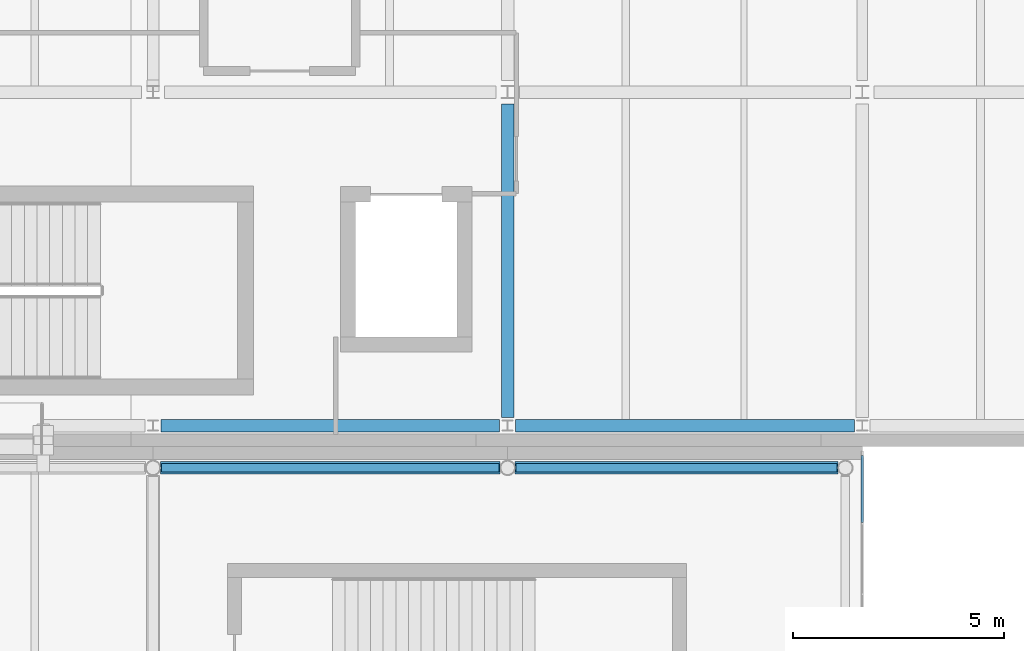
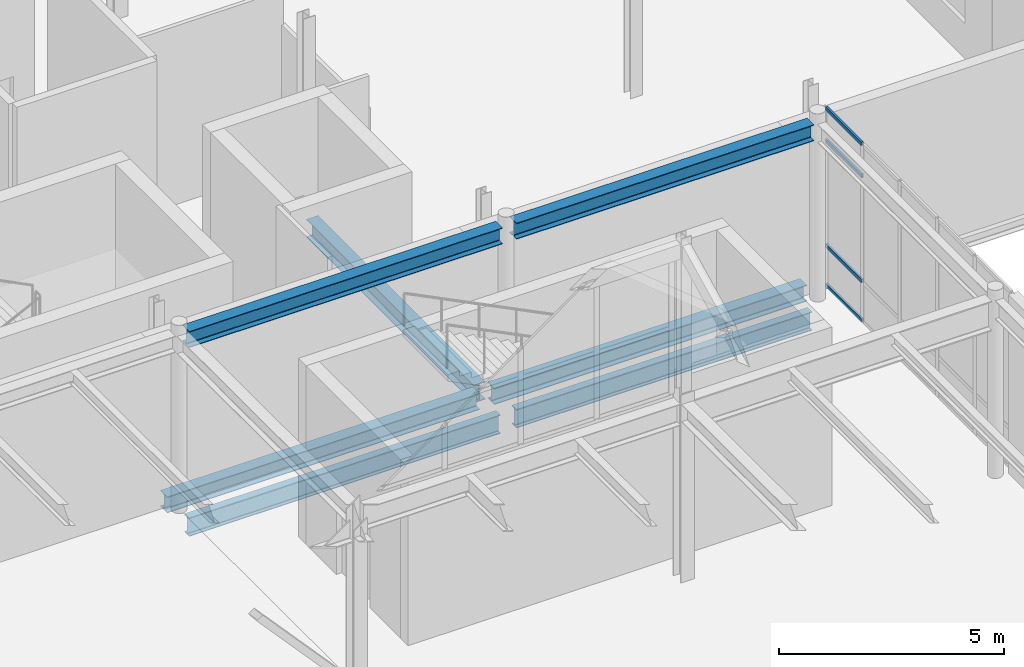
# One storey, part 48 of 91: 7 beams, 4 members, 1 element without a shape of its own.
"""IFC4 building model written with IfcOpenShell, lengths in metres."""

from ifc_helpers import new_model, si_unit, direction, frame, origin, origin_2d, place, context, subcontext, project, spatial, hollow_rectangle, i_section, extrude, material, layer, layer_set, material_profile, profile_set, type_object, element, aggregate, save


model = new_model("IFC4")

# Units and contexts
model_context = context("Model", 3, precision=1e-05, world=origin(), true_north=direction((0.0, 1.0)))
body_context = subcontext(model_context, "Body", "Model", "MODEL_VIEW")
ifc_project = project(units=[si_unit("LENGTHUNIT", "METRE"), si_unit("AREAUNIT", "SQUARE_METRE"), si_unit("VOLUMEUNIT", "CUBIC_METRE"), si_unit("PLANEANGLEUNIT", "RADIAN"), si_unit("MASSUNIT", "GRAM", prefix="KILO"), si_unit("THERMODYNAMICTEMPERATUREUNIT", "KELVIN")], contexts=[model_context])

# Site, building, storey
site_placement = place(None, origin())
site = spatial("IfcSite", under=ifc_project, at=site_placement, CompositionType="ELEMENT")
building_placement = place(site_placement, origin())
building = spatial("IfcBuilding", under=site, at=building_placement, Name="Lustrewick Department Store", CompositionType="ELEMENT")
storey_placement = place(building_placement, frame((0.0, 0.0, 21.60009765625)))
storey = spatial("IfcBuildingStorey", under=building, at=storey_placement, Name="L05", CompositionType="ELEMENT", Elevation=21.60009765625)

# Curtain wall, members
ifc_material_1 = material(Name="Thermally broken aluminium 6063-T5", Category="aluminium")
ifc_layer = layer(ifc_material_1, 0.139892578125, Name="Thermally broken aluminium 6063-T5")
ifc_layer_set = layer_set([ifc_layer], Name="Thermally broken aluminium 6063-T5")
curtain_wall_type = type_object("IfcCurtainWallType", Name="CW15", PredefinedType="NOTDEFINED", material=ifc_layer_set)
curtain_wall_placement = place(storey_placement, origin())
curtain_wall = element("IfcCurtainWall", 1, at=curtain_wall_placement, inside=storey, type_object=curtain_wall_type, Name="L05 V3 Curtain Wall CW15", PredefinedType="NOTDEFINED")
ifc_material_profile_1 = material_profile(ifc_material_1, hollow_rectangle(XDim=0.054931640625, YDim=0.10009765625, WallThickness=0.0029296875, at=origin_2d()), Name="ALU-T 55x100x3")
ifc_profile_set_1 = profile_set([ifc_material_profile_1], Name="Thermally broken aluminium 6063-T5")
member_type = type_object("IfcMemberType", Name="CW15-T1", PredefinedType="USERDEFINED", material=ifc_profile_set_1)
member_1_placement = place(storey_placement, frame((151.199951171875, 48.60498046875, 0.02734375), z_axis=(0.0, 1.0, 0.0), x_axis=(-1.0, 0.0, 0.0)))
member_1 = element("IfcMember", 2, at=member_1_placement, type_object=member_type, Name="CW15 transom 5.1", ObjectType="TRANSOM", PredefinedType="USERDEFINED", context=body_context, shape_type="SweptSolid", body=[
    extrude(hollow_rectangle(XDim=0.054931640625, YDim=0.10009765625, WallThickness=0.0029296875, at=origin_2d()), origin(), (0.0, 0.0, 1.0), 1.590087890625),
])
member_2_placement = place(storey_placement, frame((151.199951171875, 48.60498046875, 1.099853515625), z_axis=(0.0, 1.0, 0.0), x_axis=(-1.0, 0.0, 0.0)))
member_2 = element("IfcMember", 3, at=member_2_placement, type_object=member_type, Name="CW15 transom 5.2", ObjectType="TRANSOM", PredefinedType="USERDEFINED", context=body_context, shape_type="SweptSolid", body=[
    extrude(hollow_rectangle(XDim=0.054931640625, YDim=0.10009765625, WallThickness=0.0029296875, at=origin_2d()), origin(), (0.0, 0.0, 1.0), 1.590087890625),
])
member_3_placement = place(storey_placement, frame((151.199951171875, 48.60498046875, 3.94482421875), z_axis=(0.0, 1.0, 0.0), x_axis=(-1.0, 0.0, 0.0)))
member_3 = element("IfcMember", 4, at=member_3_placement, type_object=member_type, Name="CW15 transom 5.3", ObjectType="TRANSOM", PredefinedType="USERDEFINED", context=body_context, shape_type="SweptSolid", body=[
    extrude(hollow_rectangle(XDim=0.054931640625, YDim=0.10009765625, WallThickness=0.0029296875, at=origin_2d()), origin(), (0.0, 0.0, 1.0), 1.590087890625),
])
member_4_placement = place(storey_placement, frame((151.199951171875, 48.60498046875, 4.8173828125), z_axis=(0.0, 1.0, 0.0), x_axis=(-1.0, 0.0, 0.0)))
member_4 = element("IfcMember", 5, at=member_4_placement, type_object=member_type, Name="CW15 transom 5.4", ObjectType="TRANSOM", PredefinedType="USERDEFINED", context=body_context, shape_type="SweptSolid", body=[
    extrude(hollow_rectangle(XDim=0.054931640625, YDim=0.10009765625, WallThickness=0.0029296875, at=origin_2d()), origin(), (0.0, 0.0, 1.0), 1.590087890625),
])
aggregate(curtain_wall, [member_1, member_2, member_3, member_4])

# Beams
ifc_material_2 = material(Name="Structural steel Q355B", Category="steel")
ifc_material_profile_2 = material_profile(ifc_material_2, i_section(OverallWidth=0.300048828125, OverallDepth=0.48193359375, WebThickness=0.010986328125, FlangeThickness=0.014892578125, FilletRadius=0.02197265625, at=origin_2d()), Name="HM 482x300x11x15")
ifc_profile_set_2 = profile_set([ifc_material_profile_2], Name="Structural steel Q355B")
beam_type_1 = type_object("IfcBeamType", Name="G20", PredefinedType="BEAM", material=ifc_profile_set_2)
beam_1_placement = place(storey_placement, frame((142.800048828125, 51.08837890625, -0.49609375), z_axis=(0.0, 1.0, 0.0), x_axis=(-1.0, 0.0, 0.0)))
element("IfcBeam", 6, at=beam_1_placement, inside=storey, type_object=beam_type_1, Name="L05 V4 Girder G20", PredefinedType="BEAM", context=body_context, shape_type="SweptSolid", body=[
    extrude(i_section(OverallWidth=0.300048828125, OverallDepth=0.48193359375, WebThickness=0.010986328125, FlangeThickness=0.014892578125, FilletRadius=0.02197265625, at=origin_2d()), origin(), (0.0, 0.0, 1.0), 7.4365234375),
])
ifc_material_profile_3 = material_profile(ifc_material_2, i_section(OverallWidth=0.200927734375, OverallDepth=0.506103515625, WebThickness=0.010986328125, FlangeThickness=0.01904296875, FilletRadius=0.01611328125, at=origin_2d()), Name="HN 506x201x11x19")
ifc_profile_set_3 = profile_set([ifc_material_profile_3], Name="Structural steel Q355B")
beam_type_2 = type_object("IfcBeamType", Name="SP01", PredefinedType="SPANDREL", material=ifc_profile_set_3)
beam_2_placement = place(storey_placement, frame((134.60302734375, 49.89990234375, -0.508056640625), z_axis=(1.0, 0.0, 0.0), x_axis=(0.0, 1.0, 0.0)))
element("IfcBeam", 7, at=beam_2_placement, inside=storey, type_object=beam_type_2, Name="L05 V3 Girder SP01", PredefinedType="SPANDREL", context=body_context, shape_type="SweptSolid", body=[
    extrude(i_section(OverallWidth=0.200927734375, OverallDepth=0.506103515625, WebThickness=0.010986328125, FlangeThickness=0.01904296875, FilletRadius=0.01611328125, at=origin_2d()), origin(), (0.0, 0.0, 1.0), 7.993896484375),
])
beam_3_placement = place(storey_placement, frame((143.0029296875, 49.89990234375, -0.508056640625), z_axis=(1.0, 0.0, 0.0), x_axis=(0.0, 1.0, 0.0)))
element("IfcBeam", 8, at=beam_3_placement, inside=storey, type_object=beam_type_2, Name="L05 V3 Girder SP01", PredefinedType="SPANDREL", context=body_context, shape_type="SweptSolid", body=[
    extrude(i_section(OverallWidth=0.200927734375, OverallDepth=0.506103515625, WebThickness=0.010986328125, FlangeThickness=0.01904296875, FilletRadius=0.01611328125, at=origin_2d()), origin(), (0.0, 0.0, 1.0), 7.593994140625),
])
ifc_material_profile_4 = material_profile(ifc_material_2, i_section(OverallWidth=0.300048828125, OverallDepth=0.43994140625, WebThickness=0.010986328125, FlangeThickness=0.01806640625, FilletRadius=0.02001953125, at=origin_2d()), Name="HM 440x300x11x18")
ifc_profile_set_4 = profile_set([ifc_material_profile_4], Name="Structural steel Q355B")
beam_type_3 = type_object("IfcBeamType", Name="SP02", PredefinedType="SPANDREL", material=ifc_profile_set_4)
beam_4_placement = place(storey_placement, frame((134.58837890625, 50.89990234375, -0.47509765625), z_axis=(1.0, 0.0, 0.0), x_axis=(0.0, 1.0, 0.0)))
element("IfcBeam", 9, at=beam_4_placement, inside=storey, type_object=beam_type_3, Name="L05 V4 Girder SP02", PredefinedType="SPANDREL", context=body_context, shape_type="SweptSolid", body=[
    extrude(i_section(OverallWidth=0.300048828125, OverallDepth=0.43994140625, WebThickness=0.010986328125, FlangeThickness=0.01806640625, FilletRadius=0.02001953125, at=origin_2d()), origin(), (0.0, 0.0, 1.0), 8.023193359375),
])
beam_5_placement = place(storey_placement, frame((142.988525390625, 50.89990234375, -0.47509765625), z_axis=(1.0, 0.0, 0.0), x_axis=(0.0, 1.0, 0.0)))
element("IfcBeam", 10, at=beam_5_placement, inside=storey, type_object=beam_type_3, Name="L05 V4 Girder SP02", PredefinedType="SPANDREL", context=body_context, shape_type="SweptSolid", body=[
    extrude(i_section(OverallWidth=0.300048828125, OverallDepth=0.43994140625, WebThickness=0.010986328125, FlangeThickness=0.01806640625, FilletRadius=0.02001953125, at=origin_2d()), origin(), (0.0, 0.0, 1.0), 8.02294921875),
])
beam_6_placement = place(storey_placement, frame((134.577880859375, 49.89990234375, 4.625), z_axis=(1.0, 0.0, 0.0), x_axis=(0.0, 1.0, 0.0)))
element("IfcBeam", 11, at=beam_6_placement, inside=storey, type_object=beam_type_3, Name="L05 V3 Girder SP02", PredefinedType="SPANDREL", context=body_context, shape_type="SweptSolid", body=[
    extrude(i_section(OverallWidth=0.300048828125, OverallDepth=0.43994140625, WebThickness=0.010986328125, FlangeThickness=0.01806640625, FilletRadius=0.02001953125, at=origin_2d()), origin(), (0.0, 0.0, 1.0), 8.044189453125),
])
beam_7_placement = place(storey_placement, frame((142.97802734375, 49.89990234375, 4.625), z_axis=(1.0, 0.0, 0.0), x_axis=(0.0, 1.0, 0.0)))
element("IfcBeam", 12, at=beam_7_placement, inside=storey, type_object=beam_type_3, Name="L05 V3 Girder SP02", PredefinedType="SPANDREL", context=body_context, shape_type="SweptSolid", body=[
    extrude(i_section(OverallWidth=0.300048828125, OverallDepth=0.43994140625, WebThickness=0.010986328125, FlangeThickness=0.01806640625, FilletRadius=0.02001953125, at=origin_2d()), origin(), (0.0, 0.0, 1.0), 7.64404296875),
])

save(model, "model.ifc")
